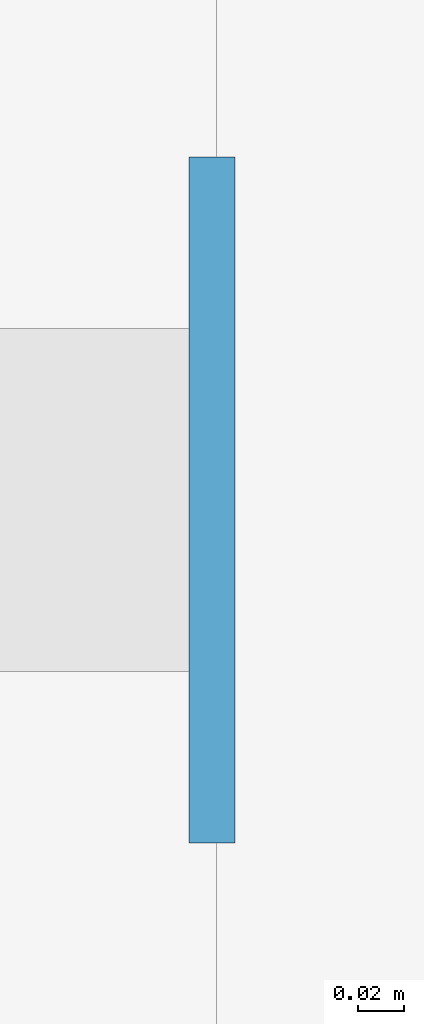
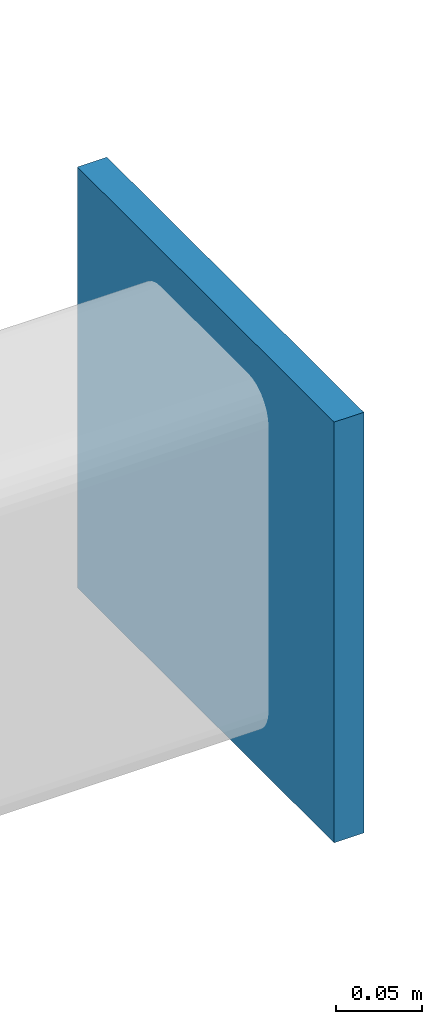
# One storey, part 57 of 68: 1 plate.
"""IFC4 building model written with IfcOpenShell, lengths in metres."""

from ifc_helpers import new_model, si_unit, direction, frame, origin, origin_2d, place, context, subcontext, project, spatial, rectangle, extrude, material, layer, layer_set, type_object, element, save


model = new_model("IFC4")

# Units and contexts
model_context = context("Model", 3, precision=1e-05, world=origin(), true_north=direction((0.0, 1.0)))
body_context = subcontext(model_context, "Body", "Model", "MODEL_VIEW")
ifc_project = project(units=[si_unit("LENGTHUNIT", "METRE"), si_unit("AREAUNIT", "SQUARE_METRE"), si_unit("VOLUMEUNIT", "CUBIC_METRE"), si_unit("PLANEANGLEUNIT", "RADIAN"), si_unit("MASSUNIT", "GRAM", prefix="KILO")], contexts=[model_context])

# Site, building, storey
site_placement = place(None, origin())
site = spatial("IfcSite", under=ifc_project, at=site_placement, CompositionType="ELEMENT")
building_placement = place(site_placement, origin())
building = spatial("IfcBuilding", under=site, at=building_placement, Name="Miravela Opera House", CompositionType="ELEMENT")
storey_placement = place(building_placement, frame((0.0, 0.0, 21.760009765625)))
storey = spatial("IfcBuildingStorey", under=building, at=storey_placement, Name="L05", CompositionType="ELEMENT", Elevation=21.760009765625)

# Plate
ifc_material = material(Name="Structural steel ASTM A572 Gr. 50", Category="steel")
ifc_layer = layer(ifc_material, 0.02001953125)
ifc_layer_set = layer_set([ifc_layer])
plate_type = type_object("IfcPlateType", Name="STR-PL-CAP-300X300X20", PredefinedType="SHEET", material=ifc_layer_set)
plate_placement = place(storey_placement, frame((57.998046875, 72.625, 10.8447265625), z_axis=(0.0, 0.0, 1.0), x_axis=(1.0, 0.0, 0.0)))
element("IfcPlate", 1, at=plate_placement, inside=storey, type_object=plate_type, Name="HSS Welded End Cap Plate 077", PredefinedType="SHEET", context=body_context, shape_type="SweptSolid", body=[
    extrude(rectangle(XDim=0.02001953125, YDim=0.300048828125, at=origin_2d()), origin(), (0.0, 0.0, 1.0), 0.300048828125),
])

save(model, "model.ifc")
